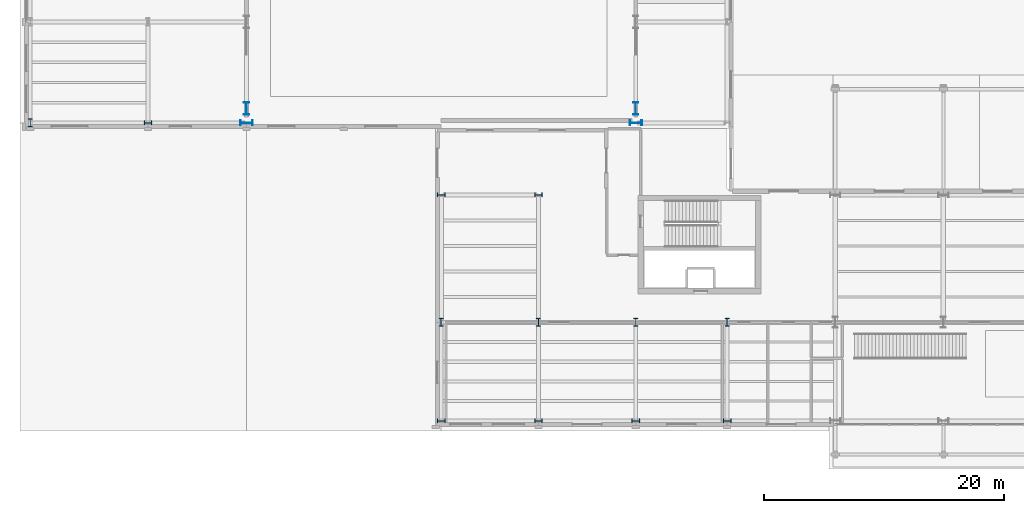
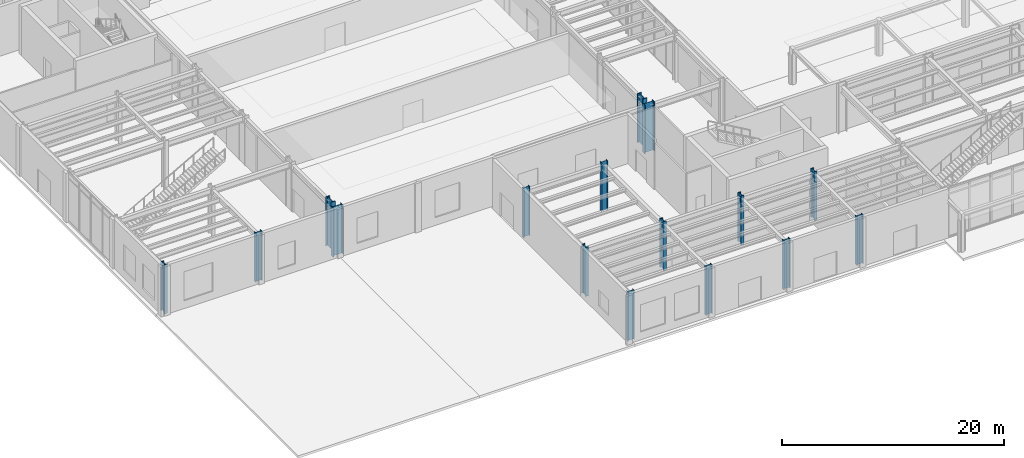
# One storey, part 1 of 94: 16 columns.
"""IFC4 building model written with IfcOpenShell, lengths in metres."""

import ifcopenshell
import ifcopenshell.guid

model = None  # the IFC model being written
_history = None  # IfcOwnerHistory: only IFC2X3 demands one
_inside = {}  # id of a spatial element -> (the spatial element, [elements in it])
_under = {}  # id of a project, library or spatial element -> (it, [spatial elements below it])
_declared = {}  # id of a project -> (the project, [libraries it declares])
_typed = {}  # id of a type object -> (the type object, [elements of that type])
_made_of = {}  # id of a material, layer set ... -> (it, [elements and type objects made of it])


def new_model(schema):
    """Start an empty IFC model of exactly this schema.

    Asked for "IFC4X3", IfcOpenShell would pick the latest addendum, in which some entities
    have other attributes; the version numbers below select the first issue.
    IFC2X3 requires an IfcOwnerHistory on every rooted entity: one is made here for all.
    """
    global model, _history
    if schema == "IFC4X3":
        model = ifcopenshell.file(schema_version=(4, 3, 0, 0))
    else:
        model = ifcopenshell.file(schema=schema)
    _inside.clear()
    _under.clear()
    _declared.clear()
    _typed.clear()
    _made_of.clear()
    _history = None
    if model.schema == "IFC2X3":
        org = make("IfcOrganization", Name="unknown")
        user = make(
            "IfcPersonAndOrganization",
            ThePerson=make("IfcPerson", FamilyName="unknown"),
            TheOrganization=org,
        )
        app = make(
            "IfcApplication",
            ApplicationDeveloper=org,
            Version="unknown",
            ApplicationFullName="unknown",
            ApplicationIdentifier="unknown",
        )
        _history = make(
            "IfcOwnerHistory",
            OwningUser=user,
            OwningApplication=app,
            ChangeAction="ADDED",
            CreationDate=0,
        )
    return model


def make(cls, **values):
    """One entity of the class cls with the attributes given. An attribute that is None is left unset."""
    return model.create_entity(
        cls, **{name: value for name, value in values.items() if value is not None}
    )


def rooted(cls, **values):
    """An entity with a GlobalId (a new one), such as an element, a storey or a relation."""
    return make(cls, GlobalId=ifcopenshell.guid.new(), OwnerHistory=_history, **values)


def si_unit(unit_type, name, prefix=None):
    """IfcSIUnit, for example si_unit("LENGTHUNIT", "METRE", prefix="MILLI")."""
    return make("IfcSIUnit", UnitType=unit_type, Prefix=prefix, Name=name)


def assignment(units):
    """IfcUnitAssignment: the units of a project."""
    return None if units is None else make("IfcUnitAssignment", Units=units)


def point(xyz):
    """IfcCartesianPoint."""
    return None if xyz is None else make("IfcCartesianPoint", Coordinates=xyz)


def direction(xyz):
    """IfcDirection."""
    return None if xyz is None else make("IfcDirection", DirectionRatios=xyz)


def frame(location, z_axis=None, x_axis=None):
    """IfcAxis2Placement3D, a coordinate frame: its origin and axes. An axis left out is left unset."""
    return make(
        "IfcAxis2Placement3D",
        Location=point(location),
        Axis=direction(z_axis),
        RefDirection=direction(x_axis),
    )


def frame_2d(location, x_axis=None):
    """IfcAxis2Placement2D, a coordinate frame in the plane: its origin and x axis."""
    return make(
        "IfcAxis2Placement2D", Location=point(location), RefDirection=direction(x_axis)
    )


def origin():
    """The frame at (0, 0, 0) with its axes left unset."""
    return frame((0.0, 0.0, 0.0))


def origin_2d():
    """The frame at (0, 0) in the plane with its x axis left unset."""
    return frame_2d((0.0, 0.0))


def place(relative_to, where):
    """IfcLocalPlacement: puts the frame where relative to a parent placement (None: the world)."""
    return make(
        "IfcLocalPlacement", PlacementRelTo=relative_to, RelativePlacement=where
    )


def context(
    kind, dimensions, precision=None, world=None, true_north=None, identifier=None
):
    """IfcGeometricRepresentationContext, for example the 3D "Model" context."""
    return make(
        "IfcGeometricRepresentationContext",
        ContextIdentifier=identifier,
        ContextType=kind,
        CoordinateSpaceDimension=dimensions,
        Precision=precision,
        WorldCoordinateSystem=world,
        TrueNorth=true_north,
    )


def subcontext(parent, identifier, kind, view, scale=None):
    """IfcGeometricRepresentationSubContext, for example "Body" below "Model"."""
    return make(
        "IfcGeometricRepresentationSubContext",
        ContextIdentifier=identifier,
        ContextType=kind,
        ParentContext=parent,
        TargetScale=scale,
        TargetView=view,
    )


def project(units=None, contexts=None):
    """IfcProject with its units and contexts."""
    return rooted(
        "IfcProject",
        Name="project",
        RepresentationContexts=contexts,
        UnitsInContext=assignment(units),
    )


def spatial(cls, under=None, at=None, **own):
    """A site, building, storey or space (cls), placed at a placement, below another one or the project."""
    s = rooted(cls, ObjectPlacement=at, **own)
    if under is not None:
        _under.setdefault(under.id(), (under, []))[1].append(s)
    return s


def profile(cls, at=None, kind="AREA", **sizes):
    """A parametric profile (cls). Its sizes go by their IFC names, for example OverallWidth=200.0."""
    return make(cls, ProfileType=kind, Position=at, **sizes)


def i_section(**sizes):
    """IfcIShapeProfileDef."""
    return profile("IfcIShapeProfileDef", **sizes)


def extrude(swept, where, along, depth):
    """IfcExtrudedAreaSolid: the profile swept, set in the frame where, extruded along a direction by depth."""
    return make(
        "IfcExtrudedAreaSolid",
        SweptArea=swept,
        Position=where,
        ExtrudedDirection=direction(along),
        Depth=depth,
    )


def shape(context_of_items, identifier, shape_type, items):
    """IfcShapeRepresentation: the items that make up one representation, for example the "Body"."""
    return make(
        "IfcShapeRepresentation",
        ContextOfItems=context_of_items,
        RepresentationIdentifier=identifier,
        RepresentationType=shape_type,
        Items=items,
    )


def material(Name=None, Category=None):
    """IfcMaterial."""
    return make("IfcMaterial", Name=Name, Category=Category)


def material_profile(
    of_material, cross_section, Name=None, Category=None, Priority=None
):
    """IfcMaterialProfile: a cross section and its material."""
    return make(
        "IfcMaterialProfile",
        Name=Name,
        Material=of_material,
        Profile=cross_section,
        Priority=Priority,
        Category=Category,
    )


def profile_set(profiles, Name=None, composite=None):
    """IfcMaterialProfileSet."""
    return make(
        "IfcMaterialProfileSet",
        Name=Name,
        MaterialProfiles=profiles,
        CompositeProfile=composite,
    )


def made_of(thing, what):
    """Note that an element or type object is made of a material, layer set ...; save() writes the relation."""
    if what is not None:
        _made_of.setdefault(what.id(), (what, []))[1].append(thing)
    return thing


def type_object(cls, material=None, **own):
    """A type object (cls), such as IfcWallType, which elements share."""
    return made_of(rooted(cls, **own), material)


def element(
    cls,
    number,
    at=None,
    inside=None,
    cuts=None,
    type_object=None,
    material=None,
    context=None,
    identifier="Body",
    shape_type=None,
    held_by="IfcProductDefinitionShape",
    body=None,
    shapes=None,
    **own,
):
    """One element of the class cls, such as IfcWall. Its Tag is "e" and its number.

    at: its placement. inside: the storey or other place that contains it. cuts: it is an
    opening in that element (IfcRelVoidsElement). A single representation is given by context,
    identifier, shape_type and body (its items); several are given by shapes. held_by: the class
    of the entity that holds the representations. save() writes the other relations.
    """
    e = rooted(cls, Tag="e%d" % number, ObjectPlacement=at, **own)
    if body is not None:
        shapes = [shape(context, identifier, shape_type, body)]
    if shapes is not None:
        e.Representation = make(held_by, Representations=shapes)
    if inside is not None:
        _inside.setdefault(inside.id(), (inside, []))[1].append(e)
    if cuts is not None:
        rooted(
            "IfcRelVoidsElement", RelatingBuildingElement=cuts, RelatedOpeningElement=e
        )
    if type_object is not None:
        _typed.setdefault(type_object.id(), (type_object, []))[1].append(e)
    return made_of(e, material)


def aggregate(whole, parts):
    """IfcRelAggregates: a whole, such as a stair, and the parts it consists of."""
    return rooted("IfcRelAggregates", RelatingObject=whole, RelatedObjects=parts)


def save(model, path):
    """Write the relations noted so far, then the file.

    IfcRelAggregates (storeys below a building ...), IfcRelContainedInSpatialStructure (elements
    in a storey), IfcRelDefinesByType, IfcRelAssociatesMaterial and IfcRelDeclares: one each for
    every whole, place, type object, material and project.
    """
    for whole, parts in _under.values():
        aggregate(whole, parts)
    for where, things in _inside.values():
        rooted(
            "IfcRelContainedInSpatialStructure",
            RelatedElements=things,
            RelatingStructure=where,
        )
    for kind, things in _typed.values():
        rooted("IfcRelDefinesByType", RelatedObjects=things, RelatingType=kind)
    for what, things in _made_of.values():
        rooted("IfcRelAssociatesMaterial", RelatedObjects=things, RelatingMaterial=what)
    for by, libraries in _declared.values():
        rooted("IfcRelDeclares", RelatingContext=by, RelatedDefinitions=libraries)
    model.write(path)


model = new_model("IFC4")

# Units and contexts
model_context = context("Model", 3, precision=1e-05, world=origin(), true_north=direction((0.0, 1.0)))
body_context = subcontext(model_context, "Body", "Model", "MODEL_VIEW")
ifc_project = project(units=[si_unit("LENGTHUNIT", "METRE"), si_unit("AREAUNIT", "SQUARE_METRE"), si_unit("VOLUMEUNIT", "CUBIC_METRE"), si_unit("PLANEANGLEUNIT", "RADIAN"), si_unit("MASSUNIT", "GRAM", prefix="KILO")], contexts=[model_context])

# Site, building, storey
site_placement = place(None, origin())
site = spatial("IfcSite", under=ifc_project, at=site_placement, CompositionType="ELEMENT")
building_placement = place(site_placement, origin())
building = spatial("IfcBuilding", under=site, at=building_placement, Name="Sollismere Congress Hotel", CompositionType="ELEMENT")
storey_placement = place(building_placement, origin())
storey = spatial("IfcBuildingStorey", under=building, at=storey_placement, Name="L00", CompositionType="ELEMENT", Elevation=0.0)

# Columns
ifc_material = material(Name="Steel ASTM A992 Grade 50", Category="steel")
ifc_material_profile_1 = material_profile(ifc_material, i_section(OverallWidth=0.3330078125, OverallDepth=0.659912109375, WebThickness=0.0244140625, FlangeThickness=0.0439453125, at=origin_2d()), Name="W24X229")
ifc_profile_set_1 = profile_set([ifc_material_profile_1], Name="Steel ASTM A992 Grade 50")
column_type_1 = type_object("IfcColumnType", Name="COL-W24", PredefinedType="COLUMN", material=ifc_profile_set_1)
for number, where, z_axis, x_axis, name in (
    (1, (0.0, 24.800048828125, 0.0), (0.0, 0.0, 1.0), (1.0, 0.0, 0.0), "Column CL-L00-005"),
    (2, (9.800048828125, 24.800048828125, 0.0), (0.0, 0.0, 1.0), (0.0, 1.0, 0.0), "Column CL-L00-043"),
    (3, (34.199951171875, 0.0, 0.0), (0.0, 0.0, 1.0), (0.0, 1.0, 0.0), "Column CL-L00-116"),
    (4, (34.199951171875, 8.199951171875, 0.0), (0.0, 0.0, 1.0), (1.0, 0.0, 0.0), "Column CL-L00-124"),
    (5, (34.199951171875, 18.800048828125, 0.0), (0.0, 0.0, 1.0), (0.0, 1.0, 0.0), "Column CL-L00-132"),
    (6, (42.300048828125, 0.0, 0.0), (0.0, 0.0, 1.0), (0.0, 1.0, 0.0), "Column CL-L00-151"),
    (7, (42.300048828125, 8.199951171875, 0.0), (0.0, 0.0, 1.0), (1.0, 0.0, 0.0), "Column CL-L00-159"),
    (8, (42.300048828125, 18.800048828125, 0.0), (0.0, 0.0, 1.0), (0.0, 1.0, 0.0), "Column CL-L00-167"),
    (9, (50.39990234375, 0.0, 0.0), (0.0, 0.0, 1.0), (0.0, 1.0, 0.0), "Column CL-L00-186"),
    (10, (50.39990234375, 8.199951171875, 0.0), (0.0, 0.0, 1.0), (1.0, 0.0, 0.0), "Column CL-L00-194"),
    (11, (58.0, 0.0, 0.0), (0.0, 0.0, 1.0), (0.0, 1.0, 0.0), "Column CL-L00-229"),
    (12, (58.0, 8.199951171875, 0.0), (0.0, 0.0, 1.0), (1.0, 0.0, 0.0), "Column CL-L00-237"),
):
    element("IfcColumn", number, at=place(storey_placement, frame(where, z_axis=z_axis, x_axis=x_axis)), inside=storey, type_object=column_type_1, Name=name, PredefinedType="COLUMN", context=body_context, shape_type="SweptSolid", body=[
        extrude(i_section(OverallWidth=0.3330078125, OverallDepth=0.659912109375, WebThickness=0.0244140625, FlangeThickness=0.0439453125, at=origin_2d()), origin(), (0.0, 0.0, 1.0), 5.39990234375),
    ])
ifc_material_profile_2 = material_profile(ifc_material, i_section(OverallWidth=0.427001953125, OverallDepth=1.041015625, WebThickness=0.031005859375, FlangeThickness=0.055908203125, at=origin_2d()), Name="W40X397")
ifc_profile_set_2 = profile_set([ifc_material_profile_2], Name="Steel ASTM A992 Grade 50")
column_type_2 = type_object("IfcColumnType", Name="COL-W40", PredefinedType="COLUMN", material=ifc_profile_set_2)
for number, where, z_axis, x_axis, name in (
    (13, (18.0, 24.800048828125, 0.0), (0.0, 0.0, 1.0), (0.0, 1.0, 0.0), "Column CL-L00-074"),
    (14, (50.39990234375, 24.800048828125, 0.0), (0.0, 0.0, 1.0), (0.0, 1.0, 0.0), "Column CL-L00-202"),
    (15, (18.0, 26.0, 0.0), (0.0, 0.0, 1.0), (1.0, 0.0, 0.0), "Column CL-L00-1130"),
    (16, (50.39990234375, 26.0, 0.0), (0.0, 0.0, 1.0), (1.0, 0.0, 0.0), "Column CL-L00-1135"),
):
    element("IfcColumn", number, at=place(storey_placement, frame(where, z_axis=z_axis, x_axis=x_axis)), inside=storey, type_object=column_type_2, Name=name, PredefinedType="COLUMN", context=body_context, shape_type="SweptSolid", body=[
        extrude(i_section(OverallWidth=0.427001953125, OverallDepth=1.041015625, WebThickness=0.031005859375, FlangeThickness=0.055908203125, at=origin_2d()), origin(), (0.0, 0.0, 1.0), 5.39990234375),
    ])

save(model, "model.ifc")
